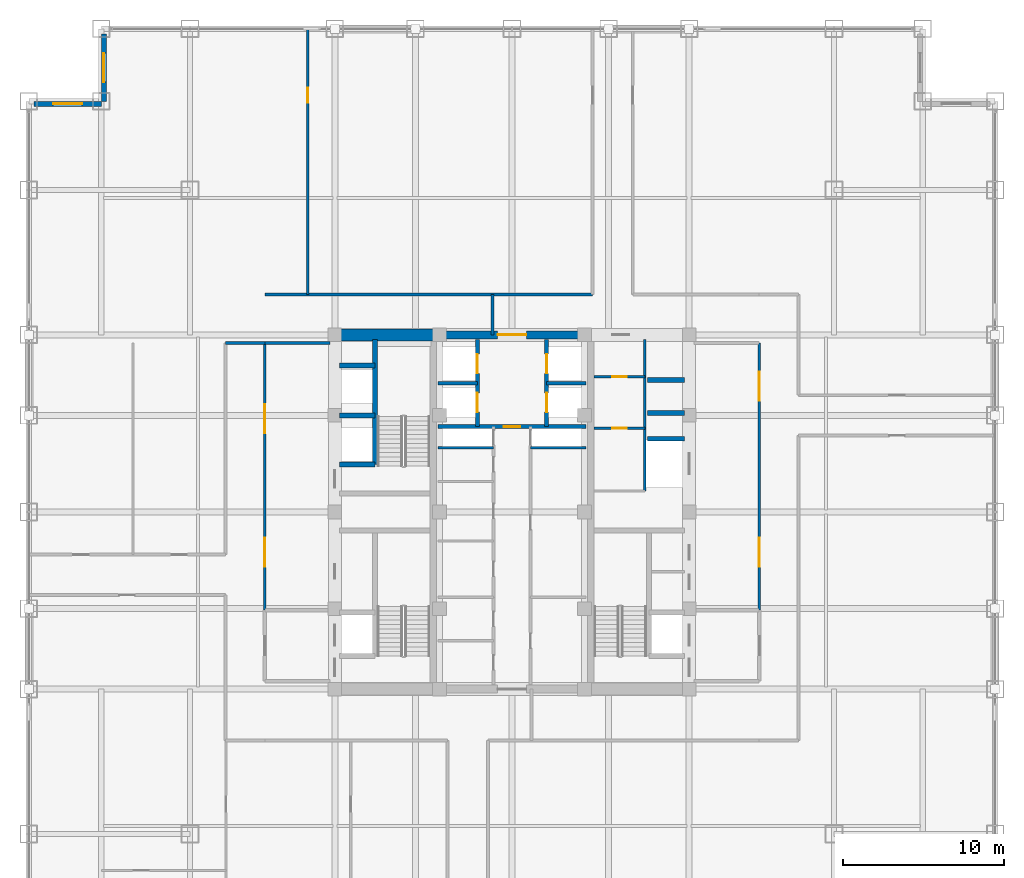
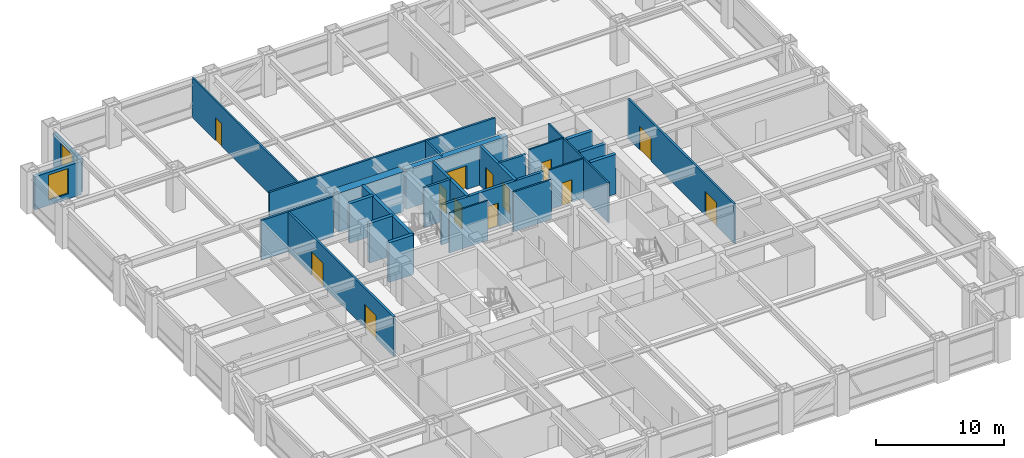
# One storey, part 22 of 24: 28 walls, 13 doors, 2 windows, 15 openings.
"""IFC4 building model written with IfcOpenShell, lengths in metres."""

from ifc_helpers import new_model, si_unit, direction, frame, frame_2d, origin, place, context, subcontext, project, spatial, rectangle, extrude, source, transform, mapped, material, layer, layer_set, type_object, element, fill, save


model = new_model("IFC4")

# Units and contexts
model_context = context("Model", 3, precision=1e-05, world=origin(), true_north=direction((0.0, 1.0)))
body_context = subcontext(model_context, "Body", "Model", "MODEL_VIEW")
ifc_project = project(units=[si_unit("LENGTHUNIT", "METRE"), si_unit("AREAUNIT", "SQUARE_METRE"), si_unit("VOLUMEUNIT", "CUBIC_METRE"), si_unit("PLANEANGLEUNIT", "RADIAN"), si_unit("MASSUNIT", "GRAM", prefix="KILO")], contexts=[model_context])

# Site, building, storey
site_placement = place(None, origin())
site = spatial("IfcSite", under=ifc_project, at=site_placement, CompositionType="ELEMENT")
building_placement = place(site_placement, origin())
building = spatial("IfcBuilding", under=site, at=building_placement, Name="Khorayat Bourse Tower", CompositionType="ELEMENT")
storey_placement = place(building_placement, frame((0.0, 0.0, 179.10009765625)))
storey = spatial("IfcBuildingStorey", under=building, at=storey_placement, Name="L41", CompositionType="ELEMENT", Elevation=179.10009765625)

# Wall
ifc_material_1 = material(Name="Concrete C72/90", Category="concrete")
ifc_layer_1 = layer(ifc_material_1, 0.75)
ifc_layer_set_1 = layer_set([ifc_layer_1], Name="Concrete C72/90")
wall_type_1 = type_object("IfcWallType", Name="WAL-CORE-750", PredefinedType="SHEAR", material=ifc_layer_set_1)
shared_shape_1 = source(origin(), body_context, "Body", "SweptSolid", [
    extrude(rectangle(XDim=5.849853515625, YDim=0.75, at=frame_2d((2.9248046875, 0.0))), origin(), (0.0, 0.0, 1.0), 3.77978515625),
])
wall_1_placement = place(storey_placement, frame((-10.699951171875, 11.0, 0.0), z_axis=(0.0, 0.0, 1.0), x_axis=(1.0, 0.0, 0.0)))
element("IfcWall", 1, at=wall_1_placement, inside=storey, type_object=wall_type_1, Name="L41 Core Shear Wall PIER-WN", PredefinedType="SHEAR", context=body_context, shape_type="MappedRepresentation", body=[
    mapped(shared_shape_1, transform((0.0, 0.0, 0.0), scale=1.0)),
])

# Wall, opening, door
ifc_material_2 = material(Name="Concrete C52/65", Category="concrete")
ifc_layer_2 = layer(ifc_material_2, 0.5)
ifc_layer_set_2 = layer_set([ifc_layer_2], Name="Concrete C52/65")
wall_type_2 = type_object("IfcWallType", Name="WAL-CORE-500", PredefinedType="SHEAR", material=ifc_layer_set_2)
shared_shape_2 = source(origin(), body_context, "Body", "SweptSolid", [
    extrude(rectangle(XDim=9.2001953125, YDim=0.5, at=frame_2d((4.60009765625, 0.0))), origin(), (0.0, 0.0, 1.0), 3.77978515625),
])
wall_2_placement = place(storey_placement, frame((-4.60009765625, 11.0, 0.0), z_axis=(0.0, 0.0, 1.0), x_axis=(1.0, 0.0, 0.0)))
wall_2 = element("IfcWall", 2, at=wall_2_placement, inside=storey, type_object=wall_type_2, Name="L41 Core Shear Wall CORE-N", PredefinedType="SHEAR", context=body_context, shape_type="MappedRepresentation", body=[
    mapped(shared_shape_2, transform((0.0, 0.0, 0.0), scale=1.0)),
])
shared_shape_3 = source(origin(), body_context, "Body", "SweptSolid", [
    extrude(rectangle(XDim=1.800048828125, YDim=2.25, at=frame_2d((0.89990234375, 1.125))), frame((0.0, 0.260009765625, 0.0), z_axis=(0.0, -1.0, 0.0), x_axis=(1.0, 0.0, 0.0)), (0.0, 0.0, 1.0), 0.52001953125),
])
opening_1_placement = place(wall_2_placement, frame((3.699951171875, 0.0, 0.0)))
opening_1 = element("IfcOpeningElement", 3, at=opening_1_placement, cuts=wall_2, Name="Opening DI-03", PredefinedType="OPENING", context=body_context, shape_type="MappedRepresentation", body=[
    mapped(shared_shape_3, transform((0.0, 0.0, 0.0), scale=1.0)),
])
ifc_material_3 = material(Name="Fire-rated hardwood vision-panel double leaf", Category="wood")
door_type_1 = type_object("IfcDoorType", Name="DR-INT-CORR-1800", OperationType="NOTDEFINED", PredefinedType="DOOR", material=ifc_material_3)
shared_shape_4 = source(origin(), body_context, "Body", "SweptSolid", [
    extrude(rectangle(XDim=1.800048828125, YDim=2.25, at=frame_2d((0.89990234375, 1.125))), frame((0.0, 0.02490234375, 0.0), z_axis=(0.0, -1.0, 0.0), x_axis=(1.0, 0.0, 0.0)), (0.0, 0.0, 1.0), 0.050048828125),
])
door_1_placement = place(opening_1_placement, origin())
door_1 = element("IfcDoor", 4, at=door_1_placement, inside=storey, type_object=door_type_1, Name="L41 Mid-Rise Lift Lobby Door", OperationType="SINGLE_SWING_RIGHT", OverallHeight=2.25, OverallWidth=1.800048828125, PredefinedType="DOOR", context=body_context, shape_type="MappedRepresentation", body=[
    mapped(shared_shape_4, transform((0.0, 0.0, 0.0), scale=1.0)),
])
fill(opening_1, door_1)

# Wall, opening, window
ifc_material_4 = material(Name="Precast concrete C45/55", Category="concrete")
ifc_layer_3 = layer(ifc_material_4, 0.320068359375)
ifc_layer_set_3 = layer_set([ifc_layer_3], Name="Precast concrete C45/55")
wall_type_3 = type_object("IfcWallType", Name="WAL-EXT-STONE-320", PredefinedType="STANDARD", material=ifc_layer_set_3)
shared_shape_5 = source(origin(), body_context, "Body", "SweptSolid", [
    extrude(rectangle(XDim=4.179931640625, YDim=0.320068359375, at=frame_2d((2.08984375, 0.0))), origin(), (0.0, 0.0, 1.0), 3.163818359375),
])
wall_3_placement = place(storey_placement, frame((-25.340087890625, 25.5, 0.0), z_axis=(0.0, 0.0, 1.0), x_axis=(0.0, 1.0, 0.0)))
wall_3 = element("IfcWall", 5, at=wall_3_placement, inside=storey, type_object=wall_type_3, Name="L41 Re-Entrant Notch Limestone Wall NW-V", PredefinedType="STANDARD", context=body_context, shape_type="MappedRepresentation", body=[
    mapped(shared_shape_5, transform((0.0, 0.0, 0.0), scale=1.0)),
])
shared_shape_6 = source(origin(), body_context, "Body", "SweptSolid", [
    extrude(rectangle(XDim=1.800048828125, YDim=2.39990234375, at=frame_2d((0.89990234375, 1.199951171875))), frame((0.0, 0.169921875, 0.0), z_axis=(0.0, -1.0, 0.0), x_axis=(1.0, 0.0, 0.0)), (0.0, 0.0, 1.0), 0.340087890625),
])
opening_2_placement = place(wall_3_placement, frame((1.18994140625, 0.0, 0.5)))
opening_2 = element("IfcOpeningElement", 6, at=opening_2_placement, cuts=wall_3, Name="Opening WN-04", PredefinedType="OPENING", context=body_context, shape_type="MappedRepresentation", body=[
    mapped(shared_shape_6, transform((0.0, 0.0, 0.0), scale=1.0)),
])
ifc_material_5 = material(Name="Low-E acoustic laminated double glazing", Category="glass")
window_type = type_object("IfcWindowType", Name="WIN-NOTCH-1800x2400", PartitioningType="SINGLE_PANEL", PredefinedType="WINDOW", material=ifc_material_5)
shared_shape_7 = source(origin(), body_context, "Body", "SweptSolid", [
    extrude(rectangle(XDim=1.800048828125, YDim=2.39990234375, at=frame_2d((0.89990234375, 1.199951171875))), frame((0.0, 0.030029296875, 0.0), z_axis=(0.0, -1.0, 0.0), x_axis=(1.0, 0.0, 0.0)), (0.0, 0.0, 1.0), 0.06005859375),
])
window_1_placement = place(opening_2_placement, origin())
window_1 = element("IfcWindow", 7, at=window_1_placement, inside=storey, type_object=window_type, Name="L41 Facade Window 1", OverallHeight=2.39990234375, OverallWidth=1.800048828125, PartitioningType="SINGLE_PANEL", PredefinedType="WINDOW", context=body_context, shape_type="MappedRepresentation", body=[
    mapped(shared_shape_7, transform((0.0, 0.0, 0.0), scale=1.0)),
])
fill(opening_2, window_1)

wall_4_placement = place(storey_placement, frame((-25.5, 25.340087890625, 0.0), z_axis=(0.0, 0.0, 1.0), x_axis=(-1.0, 0.0, 0.0)))
wall_4 = element("IfcWall", 8, at=wall_4_placement, inside=storey, type_object=wall_type_3, Name="L41 Re-Entrant Notch Limestone Wall NW-H", PredefinedType="STANDARD", context=body_context, shape_type="MappedRepresentation", body=[
    mapped(shared_shape_5, transform((0.0, 0.0, 0.0), scale=1.0)),
])
opening_3_placement = place(wall_4_placement, frame((1.18994140625, 0.0, 0.5)))
opening_3 = element("IfcOpeningElement", 9, at=opening_3_placement, cuts=wall_4, Name="Opening WN-04", PredefinedType="OPENING", context=body_context, shape_type="MappedRepresentation", body=[
    mapped(shared_shape_6, transform((0.0, 0.0, 0.0), scale=1.0)),
])
window_2_placement = place(opening_3_placement, origin())
window_2 = element("IfcWindow", 10, at=window_2_placement, inside=storey, type_object=window_type, Name="L41 Facade Window 1", OverallHeight=2.39990234375, OverallWidth=1.800048828125, PartitioningType="SINGLE_PANEL", PredefinedType="WINDOW", context=body_context, shape_type="MappedRepresentation", body=[
    mapped(shared_shape_7, transform((0.0, 0.0, 0.0), scale=1.0)),
])
fill(opening_3, window_2)

# Walls
ifc_material_6 = material(Name="Concrete C50/60", Category="concrete")
ifc_layer_4 = layer(ifc_material_6, 0.300048828125)
ifc_layer_set_4 = layer_set([ifc_layer_4], Name="Concrete C50/60")
wall_type_4 = type_object("IfcWallType", Name="WAL-SHAFT-300", PredefinedType="SHEAR", material=ifc_layer_set_4)
shared_shape_8 = source(origin(), body_context, "Body", "SweptSolid", [
    extrude(rectangle(XDim=2.199951171875, YDim=0.300048828125, at=frame_2d((1.10009765625, 0.0))), origin(), (0.0, 0.0, 1.0), 3.77978515625),
])
for number, where, z_axis, x_axis, name in (
    (11, (-10.699951171875, 2.949951171875, 0.0), (0.0, 0.0, 1.0), (1.0, 0.0, 0.0), "L41 Partition WAL-L41-WPIER-H1S"),
    (12, (-10.699951171875, 6.0, 0.0), (0.0, 0.0, 1.0), (1.0, 0.0, 0.0), "L41 Partition WAL-L41-WPIER-H12"),
    (13, (-10.699951171875, 9.10009765625, 0.0), (0.0, 0.0, 1.0), (1.0, 0.0, 0.0), "L41 Partition WAL-L41-WPIER-H2N"),
):
    element("IfcWall", number, at=place(storey_placement, frame(where, z_axis=z_axis, x_axis=x_axis)), inside=storey, type_object=wall_type_4, Name=name, PredefinedType="SHEAR", context=body_context, shape_type="MappedRepresentation", body=[
        mapped(shared_shape_8, transform((0.0, 0.0, 0.0), scale=1.0)),
    ])
shared_shape_9 = source(origin(), body_context, "Body", "SweptSolid", [
    extrude(rectangle(XDim=7.75, YDim=0.300048828125, at=frame_2d((3.875, 0.0))), origin(), (0.0, 0.0, 1.0), 3.77978515625),
])
wall_5_placement = place(storey_placement, frame((-8.5, 2.949951171875, 0.0), z_axis=(0.0, 0.0, 1.0), x_axis=(0.0, 1.0, 0.0)))
element("IfcWall", 14, at=wall_5_placement, inside=storey, type_object=wall_type_4, Name="L41 Partition WAL-L41-WPIER-ST2S", PredefinedType="SHEAR", context=body_context, shape_type="MappedRepresentation", body=[
    mapped(shared_shape_9, transform((0.0, 0.0, 0.0), scale=1.0)),
])
shared_shape_10 = source(origin(), body_context, "Body", "SweptSolid", [
    extrude(rectangle(XDim=2.300048828125, YDim=0.300048828125, at=frame_2d((1.14990234375, 0.0))), origin(), (0.0, 0.0, 1.0), 3.77978515625),
])
for number, where, z_axis, x_axis, name in (
    (15, (8.39990234375, 4.550048828125, 0.0), (0.0, 0.0, 1.0), (1.0, 0.0, 0.0), "L41 Partition WAL-L41-EPIER-SVLN"),
    (16, (8.39990234375, 6.14990234375, 0.0), (0.0, 0.0, 1.0), (1.0, 0.0, 0.0), "L41 Partition WAL-L41-EPIER-H3S"),
    (17, (8.39990234375, 8.199951171875, 0.0), (0.0, 0.0, 1.0), (1.0, 0.0, 0.0), "L41 Partition WAL-L41-EPIER-H34"),
):
    element("IfcWall", number, at=place(storey_placement, frame(where, z_axis=z_axis, x_axis=x_axis)), inside=storey, type_object=wall_type_4, Name=name, PredefinedType="SHEAR", context=body_context, shape_type="MappedRepresentation", body=[
        mapped(shared_shape_10, transform((0.0, 0.0, 0.0), scale=1.0)),
    ])
ifc_material_7 = material(Name="Moisture-resistant masonry partition", Category="masonry")
ifc_layer_5 = layer(ifc_material_7, 0.139892578125)
ifc_layer_set_5 = layer_set([ifc_layer_5], Name="Moisture-resistant masonry partition")
wall_type_5 = type_object("IfcWallType", Name="WAL-PART-WET-140", PredefinedType="PARTITIONING", material=ifc_layer_set_5)
shared_shape_11 = source(origin(), body_context, "Body", "SweptSolid", [
    extrude(rectangle(XDim=9.39990234375, YDim=0.139892578125, at=frame_2d((4.699951171875, 0.0))), origin(), (0.0, 0.0, 1.0), 3.77978515625),
])
wall_6_placement = place(storey_placement, frame((8.25, 1.300048828125, 0.0), z_axis=(0.0, 0.0, 1.0), x_axis=(0.0, 1.0, 0.0)))
element("IfcWall", 18, at=wall_6_placement, inside=storey, type_object=wall_type_5, Name="L41 Partition WAL-L41-ECORE-E", PredefinedType="PARTITIONING", context=body_context, shape_type="MappedRepresentation", body=[
    mapped(shared_shape_11, transform((0.0, 0.0, 0.0), scale=1.0)),
])

# Wall, opening, door
shared_shape_12 = source(origin(), body_context, "Body", "SweptSolid", [
    extrude(rectangle(XDim=3.14990234375, YDim=0.139892578125, at=frame_2d((1.574951171875, 0.0))), origin(), (0.0, 0.0, 1.0), 3.77978515625),
])
wall_7_placement = place(storey_placement, frame((5.10009765625, 8.39990234375, 0.0), z_axis=(0.0, 0.0, 1.0), x_axis=(1.0, 0.0, 0.0)))
wall_7 = element("IfcWall", 19, at=wall_7_placement, inside=storey, type_object=wall_type_5, Name="L41 Partition WAL-L41-ECW-TOP", PredefinedType="PARTITIONING", context=body_context, shape_type="MappedRepresentation", body=[
    mapped(shared_shape_12, transform((0.0, 0.0, 0.0), scale=1.0)),
])
shared_shape_13 = source(origin(), body_context, "Body", "SweptSolid", [
    extrude(rectangle(XDim=0.89990234375, YDim=2.14990234375, at=frame_2d((0.449951171875, 1.074951171875))), frame((0.0, 0.079833984375, 0.0), z_axis=(0.0, -1.0, 0.0), x_axis=(1.0, 0.0, 0.0)), (0.0, 0.0, 1.0), 0.159912109375),
])
opening_4_placement = place(wall_7_placement, frame((1.1298828125, 0.0, 0.0)))
opening_4 = element("IfcOpeningElement", 20, at=opening_4_placement, cuts=wall_7, Name="Opening DI-06", PredefinedType="OPENING", context=body_context, shape_type="MappedRepresentation", body=[
    mapped(shared_shape_13, transform((0.0, 0.0, 0.0), scale=1.0)),
])
ifc_material_8 = material(Name="Moisture-resistant laminate washroom door")
door_type_2 = type_object("IfcDoorType", Name="DR-INT-WC-900", OperationType="NOTDEFINED", PredefinedType="DOOR", material=ifc_material_8)
shared_shape_14 = source(origin(), body_context, "Body", "SweptSolid", [
    extrude(rectangle(XDim=0.89990234375, YDim=2.14990234375, at=frame_2d((0.449951171875, 1.074951171875))), frame((0.0, 0.02490234375, 0.0), z_axis=(0.0, -1.0, 0.0), x_axis=(1.0, 0.0, 0.0)), (0.0, 0.0, 1.0), 0.050048828125),
])
door_2_placement = place(opening_4_placement, origin())
door_2 = element("IfcDoor", 21, at=door_2_placement, inside=storey, type_object=door_type_2, Name="L41 Accessible WC Door", OperationType="SINGLE_SWING_LEFT", OverallHeight=2.14990234375, OverallWidth=0.89990234375, PredefinedType="DOOR", context=body_context, shape_type="MappedRepresentation", body=[
    mapped(shared_shape_14, transform((0.0, 0.0, 0.0), scale=1.0)),
])
fill(opening_4, door_2)

wall_8_placement = place(storey_placement, frame((5.10009765625, 5.199951171875, 0.0), z_axis=(0.0, 0.0, 1.0), x_axis=(1.0, 0.0, 0.0)))
wall_8 = element("IfcWall", 22, at=wall_8_placement, inside=storey, type_object=wall_type_5, Name="L41 Partition WAL-L41-ECW-HZ", PredefinedType="PARTITIONING", context=body_context, shape_type="MappedRepresentation", body=[
    mapped(shared_shape_12, transform((0.0, 0.0, 0.0), scale=1.0)),
])
opening_5_placement = place(wall_8_placement, frame((1.1298828125, 0.0, 0.0)))
opening_5 = element("IfcOpeningElement", 23, at=opening_5_placement, cuts=wall_8, Name="Opening DI-06", PredefinedType="OPENING", context=body_context, shape_type="MappedRepresentation", body=[
    mapped(shared_shape_13, transform((0.0, 0.0, 0.0), scale=1.0)),
])
door_3_placement = place(opening_5_placement, origin())
door_3 = element("IfcDoor", 24, at=door_3_placement, inside=storey, type_object=door_type_2, Name="L41 Shared Washroom Door", OperationType="SINGLE_SWING_RIGHT", OverallHeight=2.14990234375, OverallWidth=0.89990234375, PredefinedType="DOOR", context=body_context, shape_type="MappedRepresentation", body=[
    mapped(shared_shape_14, transform((0.0, 0.0, 0.0), scale=1.0)),
])
fill(opening_5, door_3)

# Wall
ifc_material_9 = material(Name="Gypsum plasterboard acoustic stud wall")
ifc_layer_6 = layer(ifc_material_9, 0.179931640625)
ifc_layer_set_6 = layer_set([ifc_layer_6], Name="Gypsum plasterboard acoustic stud wall")
wall_type_6 = type_object("IfcWallType", Name="WAL-PART-CORR-180", PredefinedType="PARTITIONING", material=ifc_layer_set_6)
shared_shape_15 = source(origin(), body_context, "Body", "SweptSolid", [
    extrude(rectangle(XDim=4.050048828125, YDim=0.179931640625, at=frame_2d((2.02490234375, 0.0))), origin(), (0.0, 0.0, 1.0), 3.77978515625),
])
wall_9_placement = place(storey_placement, frame((-15.35009765625, 10.5, 0.0), z_axis=(0.0, 0.0, 1.0), x_axis=(1.0, 0.0, 0.0)))
element("IfcWall", 25, at=wall_9_placement, inside=storey, type_object=wall_type_6, Name="L41 Partition WAL-L41-WLOB-N", PredefinedType="PARTITIONING", context=body_context, shape_type="MappedRepresentation", body=[
    mapped(shared_shape_15, transform((0.0, 0.0, 0.0), scale=1.0)),
])

# Wall, openings, doors
shared_shape_16 = source(origin(), body_context, "Body", "SweptSolid", [
    extrude(rectangle(XDim=16.60009765625, YDim=0.179931640625, at=frame_2d((8.300048828125, 0.0))), origin(), (0.0, 0.0, 1.0), 3.77978515625),
])
wall_10_placement = place(storey_placement, frame((-15.35009765625, -6.10009765625, 0.0), z_axis=(0.0, 0.0, 1.0), x_axis=(0.0, 1.0, 0.0)))
wall_10 = element("IfcWall", 26, at=wall_10_placement, inside=storey, type_object=wall_type_6, Name="L41 Partition WAL-L41-WLOB-W", PredefinedType="PARTITIONING", context=body_context, shape_type="MappedRepresentation", body=[
    mapped(shared_shape_16, transform((0.0, 0.0, 0.0), scale=1.0)),
])
shared_shape_17 = source(origin(), body_context, "Body", "SweptSolid", [
    extrude(rectangle(XDim=1.800048828125, YDim=2.25, at=frame_2d((0.89990234375, 1.125))), frame((0.0, 0.099853515625, 0.0), z_axis=(0.0, -1.0, 0.0), x_axis=(1.0, 0.0, 0.0)), (0.0, 0.0, 1.0), 0.199951171875),
])
opening_6_placement = place(wall_10_placement, frame((2.699951171875, 0.0, 0.0)))
opening_6 = element("IfcOpeningElement", 27, at=opening_6_placement, cuts=wall_10, Name="Opening DI-03", PredefinedType="OPENING", context=body_context, shape_type="MappedRepresentation", body=[
    mapped(shared_shape_17, transform((0.0, 0.0, 0.0), scale=1.0)),
])
opening_7_placement = place(wall_10_placement, frame((11.0, 0.0, 0.0)))
opening_7 = element("IfcOpeningElement", 28, at=opening_7_placement, cuts=wall_10, Name="Opening DI-03", PredefinedType="OPENING", context=body_context, shape_type="MappedRepresentation", body=[
    mapped(shared_shape_17, transform((0.0, 0.0, 0.0), scale=1.0)),
])
door_4_placement = place(opening_6_placement, origin())
door_4 = element("IfcDoor", 29, at=door_4_placement, inside=storey, type_object=door_type_1, Name="L41 West Core Lobby South Door", OperationType="SINGLE_SWING_LEFT", OverallHeight=2.25, OverallWidth=1.800048828125, PredefinedType="DOOR", context=body_context, shape_type="MappedRepresentation", body=[
    mapped(shared_shape_4, transform((0.0, 0.0, 0.0), scale=1.0)),
])
fill(opening_6, door_4)
door_5_placement = place(opening_7_placement, origin())
door_5 = element("IfcDoor", 30, at=door_5_placement, inside=storey, type_object=door_type_1, Name="L41 West Core Lobby North Door", OperationType="SINGLE_SWING_RIGHT", OverallHeight=2.25, OverallWidth=1.800048828125, PredefinedType="DOOR", context=body_context, shape_type="MappedRepresentation", body=[
    mapped(shared_shape_4, transform((0.0, 0.0, 0.0), scale=1.0)),
])
fill(opening_7, door_5)

wall_11_placement = place(storey_placement, frame((15.35009765625, -6.10009765625, 0.0), z_axis=(0.0, 0.0, 1.0), x_axis=(0.0, 1.0, 0.0)))
wall_11 = element("IfcWall", 31, at=wall_11_placement, inside=storey, type_object=wall_type_6, Name="L41 Partition WAL-L41-ELOB-E", PredefinedType="PARTITIONING", context=body_context, shape_type="MappedRepresentation", body=[
    mapped(shared_shape_16, transform((0.0, 0.0, 0.0), scale=1.0)),
])
opening_8_placement = place(wall_11_placement, frame((2.699951171875, 0.0, 0.0)))
opening_8 = element("IfcOpeningElement", 32, at=opening_8_placement, cuts=wall_11, Name="Opening DI-03", PredefinedType="OPENING", context=body_context, shape_type="MappedRepresentation", body=[
    mapped(shared_shape_17, transform((0.0, 0.0, 0.0), scale=1.0)),
])
opening_9_placement = place(wall_11_placement, frame((13.0, 0.0, 0.0)))
opening_9 = element("IfcOpeningElement", 33, at=opening_9_placement, cuts=wall_11, Name="Opening DI-03", PredefinedType="OPENING", context=body_context, shape_type="MappedRepresentation", body=[
    mapped(shared_shape_17, transform((0.0, 0.0, 0.0), scale=1.0)),
])
door_6_placement = place(opening_8_placement, origin())
door_6 = element("IfcDoor", 34, at=door_6_placement, inside=storey, type_object=door_type_1, Name="L41 East Core Lobby South Door", OperationType="SINGLE_SWING_RIGHT", OverallHeight=2.25, OverallWidth=1.800048828125, PredefinedType="DOOR", context=body_context, shape_type="MappedRepresentation", body=[
    mapped(shared_shape_4, transform((0.0, 0.0, 0.0), scale=1.0)),
])
fill(opening_8, door_6)
door_7_placement = place(opening_9_placement, origin())
door_7 = element("IfcDoor", 35, at=door_7_placement, inside=storey, type_object=door_type_1, Name="L41 East Core Lobby North Door", OperationType="SINGLE_SWING_LEFT", OverallHeight=2.25, OverallWidth=1.800048828125, PredefinedType="DOOR", context=body_context, shape_type="MappedRepresentation", body=[
    mapped(shared_shape_4, transform((0.0, 0.0, 0.0), scale=1.0)),
])
fill(opening_9, door_7)

# Walls
ifc_material_10 = material(Name="Gypsum plasterboard twin-frame partition")
ifc_layer_7 = layer(ifc_material_10, 0.14990234375)
ifc_layer_set_7 = layer_set([ifc_layer_7], Name="Gypsum plasterboard twin-frame partition")
wall_type_7 = type_object("IfcWallType", Name="WAL-PART-SUITE-150", PredefinedType="PARTITIONING", material=ifc_layer_set_7)
shared_shape_18 = source(origin(), body_context, "Body", "SweptSolid", [
    extrude(rectangle(XDim=3.4501953125, YDim=0.14990234375, at=frame_2d((1.72509765625, 0.0))), origin(), (0.0, 0.0, 1.0), 3.77978515625),
])
for number, where, z_axis, x_axis, name in (
    (36, (-4.60009765625, 4.0, 0.0), (0.0, 0.0, 1.0), (1.0, 0.0, 0.0), "L41 Partition WAL-L41-CRSW-S"),
    (37, (1.14990234375, 4.0, 0.0), (0.0, 0.0, 1.0), (1.0, 0.0, 0.0), "L41 Partition WAL-L41-CRSE-S"),
):
    element("IfcWall", number, at=place(storey_placement, frame(where, z_axis=z_axis, x_axis=x_axis)), inside=storey, type_object=wall_type_7, Name=name, PredefinedType="PARTITIONING", context=body_context, shape_type="MappedRepresentation", body=[
        mapped(shared_shape_18, transform((0.0, 0.0, 0.0), scale=1.0)),
    ])

# Wall, openings, doors
shared_shape_19 = source(origin(), body_context, "Body", "SweptSolid", [
    extrude(rectangle(XDim=5.39990234375, YDim=0.25, at=frame_2d((2.699951171875, 0.0))), origin(), (0.0, 0.0, 1.0), 3.77978515625),
])
wall_12_placement = place(storey_placement, frame((-2.14990234375, 5.300048828125, 0.0), z_axis=(0.0, 0.0, 1.0), x_axis=(0.0, 1.0, 0.0)))
wall_12 = element("IfcWall", 38, at=wall_12_placement, inside=storey, type_object=wall_type_4, Name="L41 Partition WAL-L41-B2-W", PredefinedType="SHEAR", context=body_context, shape_type="MappedRepresentation", body=[
    mapped(shared_shape_19, transform((0.0, 0.0, 0.0), scale=1.0)),
])
shared_shape_20 = source(origin(), body_context, "Body", "SweptSolid", [
    extrude(rectangle(XDim=1.199951171875, YDim=2.300048828125, at=frame_2d((0.60009765625, 1.14990234375))), frame((0.0, 0.135009765625, 0.0), z_axis=(0.0, -1.0, 0.0), x_axis=(1.0, 0.0, 0.0)), (0.0, 0.0, 1.0), 0.27001953125),
])
opening_10_placement = place(wall_12_placement, frame((3.300048828125, 0.0, 0.0)))
opening_10 = element("IfcOpeningElement", 39, at=opening_10_placement, cuts=wall_12, Name="Opening LD-01", PredefinedType="OPENING", context=body_context, shape_type="MappedRepresentation", body=[
    mapped(shared_shape_20, transform((0.0, 0.0, 0.0), scale=1.0)),
])
opening_11_placement = place(wall_12_placement, frame((0.89990234375, 0.0, 0.0)))
opening_11 = element("IfcOpeningElement", 40, at=opening_11_placement, cuts=wall_12, Name="Opening LD-01", PredefinedType="OPENING", context=body_context, shape_type="MappedRepresentation", body=[
    mapped(shared_shape_20, transform((0.0, 0.0, 0.0), scale=1.0)),
])
ifc_material_11 = material(Name="Brushed bronze stainless-steel sliding door", Category="steel")
door_type_3 = type_object("IfcDoorType", Name="DR-LIFT-PASS-1200", OperationType="NOTDEFINED", PredefinedType="DOOR", material=ifc_material_11)
shared_shape_21 = source(origin(), body_context, "Body", "SweptSolid", [
    extrude(rectangle(XDim=1.199951171875, YDim=2.300048828125, at=frame_2d((0.60009765625, 1.14990234375))), frame((0.0, 0.02490234375, 0.0), z_axis=(0.0, -1.0, 0.0), x_axis=(1.0, 0.0, 0.0)), (0.0, 0.0, 1.0), 0.050048828125),
])
door_8_placement = place(opening_10_placement, origin())
door_8 = element("IfcDoor", 41, at=door_8_placement, inside=storey, type_object=door_type_3, Name="L41 Lift PL-M1 Sliding Landing Door", OperationType="SLIDING_TO_LEFT", OverallHeight=2.300048828125, OverallWidth=1.199951171875, PredefinedType="DOOR", context=body_context, shape_type="MappedRepresentation", body=[
    mapped(shared_shape_21, transform((0.0, 0.0, 0.0), scale=1.0)),
])
fill(opening_10, door_8)
door_9_placement = place(opening_11_placement, origin())
door_9 = element("IfcDoor", 42, at=door_9_placement, inside=storey, type_object=door_type_3, Name="L41 Lift PL-M3 Sliding Landing Door", OperationType="SLIDING_TO_LEFT", OverallHeight=2.300048828125, OverallWidth=1.199951171875, PredefinedType="DOOR", context=body_context, shape_type="MappedRepresentation", body=[
    mapped(shared_shape_21, transform((0.0, 0.0, 0.0), scale=1.0)),
])
fill(opening_11, door_9)

wall_13_placement = place(storey_placement, frame((2.14990234375, 5.300048828125, 0.0), z_axis=(0.0, 0.0, 1.0), x_axis=(0.0, 1.0, 0.0)))
wall_13 = element("IfcWall", 43, at=wall_13_placement, inside=storey, type_object=wall_type_4, Name="L41 Partition WAL-L41-B2-E", PredefinedType="SHEAR", context=body_context, shape_type="MappedRepresentation", body=[
    mapped(shared_shape_19, transform((0.0, 0.0, 0.0), scale=1.0)),
])
opening_12_placement = place(wall_13_placement, frame((3.300048828125, 0.0, 0.0)))
opening_12 = element("IfcOpeningElement", 44, at=opening_12_placement, cuts=wall_13, Name="Opening LD-01", PredefinedType="OPENING", context=body_context, shape_type="MappedRepresentation", body=[
    mapped(shared_shape_20, transform((0.0, 0.0, 0.0), scale=1.0)),
])
opening_13_placement = place(wall_13_placement, frame((0.89990234375, 0.0, 0.0)))
opening_13 = element("IfcOpeningElement", 45, at=opening_13_placement, cuts=wall_13, Name="Opening LD-01", PredefinedType="OPENING", context=body_context, shape_type="MappedRepresentation", body=[
    mapped(shared_shape_20, transform((0.0, 0.0, 0.0), scale=1.0)),
])
door_10_placement = place(opening_12_placement, origin())
door_10 = element("IfcDoor", 46, at=door_10_placement, inside=storey, type_object=door_type_3, Name="L41 Lift PL-M2 Sliding Landing Door", OperationType="SLIDING_TO_LEFT", OverallHeight=2.300048828125, OverallWidth=1.199951171875, PredefinedType="DOOR", context=body_context, shape_type="MappedRepresentation", body=[
    mapped(shared_shape_21, transform((0.0, 0.0, 0.0), scale=1.0)),
])
fill(opening_12, door_10)
door_11_placement = place(opening_13_placement, origin())
door_11 = element("IfcDoor", 47, at=door_11_placement, inside=storey, type_object=door_type_3, Name="L41 Lift PL-M4 Sliding Landing Door", OperationType="SLIDING_TO_LEFT", OverallHeight=2.300048828125, OverallWidth=1.199951171875, PredefinedType="DOOR", context=body_context, shape_type="MappedRepresentation", body=[
    mapped(shared_shape_21, transform((0.0, 0.0, 0.0), scale=1.0)),
])
fill(opening_13, door_11)

# Walls
shared_shape_22 = source(origin(), body_context, "Body", "SweptSolid", [
    extrude(rectangle(XDim=2.4501953125, YDim=0.199951171875, at=frame_2d((1.22509765625, 0.0))), origin(), (0.0, 0.0, 1.0), 3.77978515625),
])
for number, where, z_axis, x_axis, name in (
    (48, (-4.60009765625, 8.0, 0.0), (0.0, 0.0, 1.0), (1.0, 0.0, 0.0), "L41 Partition WAL-L41-B2-MW"),
    (49, (2.14990234375, 8.0, 0.0), (0.0, 0.0, 1.0), (1.0, 0.0, 0.0), "L41 Partition WAL-L41-B2-ME"),
):
    element("IfcWall", number, at=place(storey_placement, frame(where, z_axis=z_axis, x_axis=x_axis)), inside=storey, type_object=wall_type_4, Name=name, PredefinedType="SHEAR", context=body_context, shape_type="MappedRepresentation", body=[
        mapped(shared_shape_22, transform((0.0, 0.0, 0.0), scale=1.0)),
    ])

# Wall, opening, door
shared_shape_23 = source(origin(), body_context, "Body", "SweptSolid", [
    extrude(rectangle(XDim=9.2001953125, YDim=0.25, at=frame_2d((4.60009765625, 0.0))), origin(), (0.0, 0.0, 1.0), 3.77978515625),
])
wall_14_placement = place(storey_placement, frame((-4.60009765625, 5.300048828125, 0.0), z_axis=(0.0, 0.0, 1.0), x_axis=(1.0, 0.0, 0.0)))
wall_14 = element("IfcWall", 50, at=wall_14_placement, inside=storey, type_object=wall_type_4, Name="L41 Partition WAL-L41-B2-S", PredefinedType="SHEAR", context=body_context, shape_type="MappedRepresentation", body=[
    mapped(shared_shape_23, transform((0.0, 0.0, 0.0), scale=1.0)),
])
shared_shape_24 = source(origin(), body_context, "Body", "SweptSolid", [
    extrude(rectangle(XDim=1.050048828125, YDim=2.199951171875, at=frame_2d((0.52490234375, 1.10009765625))), frame((0.0, 0.135009765625, 0.0), z_axis=(0.0, -1.0, 0.0), x_axis=(1.0, 0.0, 0.0)), (0.0, 0.0, 1.0), 0.27001953125),
])
opening_14_placement = place(wall_14_placement, frame((4.074951171875, 0.0, 0.0)))
opening_14 = element("IfcOpeningElement", 51, at=opening_14_placement, cuts=wall_14, Name="Opening DI-04", PredefinedType="OPENING", context=body_context, shape_type="MappedRepresentation", body=[
    mapped(shared_shape_24, transform((0.0, 0.0, 0.0), scale=1.0)),
])
ifc_material_12 = material(Name="Fire-rated oak veneer suite entrance door")
door_type_4 = type_object("IfcDoorType", Name="DR-INT-SUITE-1050", OperationType="NOTDEFINED", PredefinedType="DOOR", material=ifc_material_12)
shared_shape_25 = source(origin(), body_context, "Body", "SweptSolid", [
    extrude(rectangle(XDim=1.050048828125, YDim=2.199951171875, at=frame_2d((0.52490234375, 1.10009765625))), frame((0.0, 0.02490234375, 0.0), z_axis=(0.0, -1.0, 0.0), x_axis=(1.0, 0.0, 0.0)), (0.0, 0.0, 1.0), 0.050048828125),
])
door_12_placement = place(opening_14_placement, origin())
door_12 = element("IfcDoor", 52, at=door_12_placement, inside=storey, type_object=door_type_4, Name="L41 Core Spine North Door", OperationType="SINGLE_SWING_RIGHT", OverallHeight=2.199951171875, OverallWidth=1.050048828125, PredefinedType="DOOR", context=body_context, shape_type="MappedRepresentation", body=[
    mapped(shared_shape_25, transform((0.0, 0.0, 0.0), scale=1.0)),
])
fill(opening_14, door_12)

# Walls
shared_shape_26 = source(origin(), body_context, "Body", "SweptSolid", [
    extrude(rectangle(XDim=2.449951171875, YDim=0.179931640625, at=frame_2d((1.22509765625, 0.0))), origin(), (0.0, 0.0, 1.0), 3.77978515625),
])
wall_15_placement = place(storey_placement, frame((-17.800048828125, 10.5, 0.0), z_axis=(0.0, 0.0, 1.0), x_axis=(1.0, 0.0, 0.0)))
element("IfcWall", 53, at=wall_15_placement, inside=storey, type_object=wall_type_6, Name="L41 Partition WAL-L41-C2-WN", PredefinedType="PARTITIONING", context=body_context, shape_type="MappedRepresentation", body=[
    mapped(shared_shape_26, transform((0.0, 0.0, 0.0), scale=1.0)),
])
shared_shape_27 = source(origin(), body_context, "Body", "SweptSolid", [
    extrude(rectangle(XDim=2.5, YDim=0.179931640625, at=frame_2d((1.25, 0.0))), origin(), (0.0, 0.0, 1.0), 3.77978515625),
])
wall_16_placement = place(storey_placement, frame((-1.199951171875, 11.0, 0.0), z_axis=(0.0, 0.0, 1.0), x_axis=(0.0, 1.0, 0.0)))
element("IfcWall", 54, at=wall_16_placement, inside=storey, type_object=wall_type_6, Name="L41 Partition WAL-L41-C2-NCW", PredefinedType="PARTITIONING", context=body_context, shape_type="MappedRepresentation", body=[
    mapped(shared_shape_27, transform((0.0, 0.0, 0.0), scale=1.0)),
])

# Wall, opening, door
shared_shape_28 = source(origin(), body_context, "Body", "SweptSolid", [
    extrude(rectangle(XDim=16.5, YDim=0.14990234375, at=frame_2d((8.25, 0.0))), origin(), (0.0, 0.0, 1.0), 3.77978515625),
])
wall_17_placement = place(storey_placement, frame((-12.68994140625, 13.5, 0.0), z_axis=(0.0, 0.0, 1.0), x_axis=(0.0, 1.0, 0.0)))
wall_17 = element("IfcWall", 55, at=wall_17_placement, inside=storey, type_object=wall_type_7, Name="L41 Partition WAL-L41-QNWDV-1", PredefinedType="PARTITIONING", context=body_context, shape_type="MappedRepresentation", body=[
    mapped(shared_shape_28, transform((0.0, 0.0, 0.0), scale=1.0)),
])
shared_shape_29 = source(origin(), body_context, "Body", "SweptSolid", [
    extrude(rectangle(XDim=0.949951171875, YDim=2.14990234375, at=frame_2d((0.47509765625, 1.074951171875))), frame((0.0, 0.0849609375, 0.0), z_axis=(0.0, -1.0, 0.0), x_axis=(1.0, 0.0, 0.0)), (0.0, 0.0, 1.0), 0.169921875),
])
opening_15_placement = place(wall_17_placement, frame((11.89990234375, 0.0, 0.0)))
opening_15 = element("IfcOpeningElement", 56, at=opening_15_placement, cuts=wall_17, Name="Opening DI-05", PredefinedType="OPENING", context=body_context, shape_type="MappedRepresentation", body=[
    mapped(shared_shape_29, transform((0.0, 0.0, 0.0), scale=1.0)),
])
ifc_material_13 = material(Name="Acoustic oak veneer office door")
door_type_5 = type_object("IfcDoorType", Name="DR-INT-OFFICE-950", OperationType="NOTDEFINED", PredefinedType="DOOR", material=ifc_material_13)
shared_shape_30 = source(origin(), body_context, "Body", "SweptSolid", [
    extrude(rectangle(XDim=0.949951171875, YDim=2.14990234375, at=frame_2d((0.47509765625, 1.074951171875))), frame((0.0, 0.02490234375, 0.0), z_axis=(0.0, -1.0, 0.0), x_axis=(1.0, 0.0, 0.0)), (0.0, 0.0, 1.0), 0.050048828125),
])
door_13_placement = place(opening_15_placement, origin())
door_13 = element("IfcDoor", 57, at=door_13_placement, inside=storey, type_object=door_type_5, Name="L41 North-West Suite Link 1", OperationType="SINGLE_SWING_RIGHT", OverallHeight=2.14990234375, OverallWidth=0.949951171875, PredefinedType="DOOR", context=body_context, shape_type="MappedRepresentation", body=[
    mapped(shared_shape_30, transform((0.0, 0.0, 0.0), scale=1.0)),
])
fill(opening_15, door_13)

# Wall
shared_shape_31 = source(origin(), body_context, "Body", "SweptSolid", [
    extrude(rectangle(XDim=20.35009765625, YDim=0.179931640625, at=frame_2d((10.175048828125, 0.0))), origin(), (0.0, 0.0, 1.0), 3.77978515625),
])
wall_18_placement = place(storey_placement, frame((-15.35009765625, 13.5, 0.0), z_axis=(0.0, 0.0, 1.0), x_axis=(1.0, 0.0, 0.0)))
element("IfcWall", 58, at=wall_18_placement, inside=storey, type_object=wall_type_6, Name="L41 Partition WAL-L41-QNW-HC", PredefinedType="PARTITIONING", context=body_context, shape_type="MappedRepresentation", body=[
    mapped(shared_shape_31, transform((0.0, 0.0, 0.0), scale=1.0)),
])

save(model, "model.ifc")
